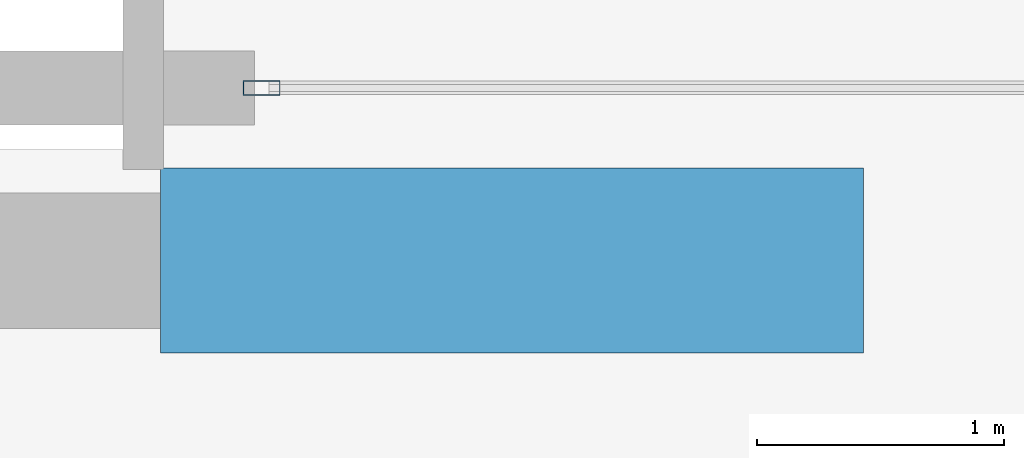
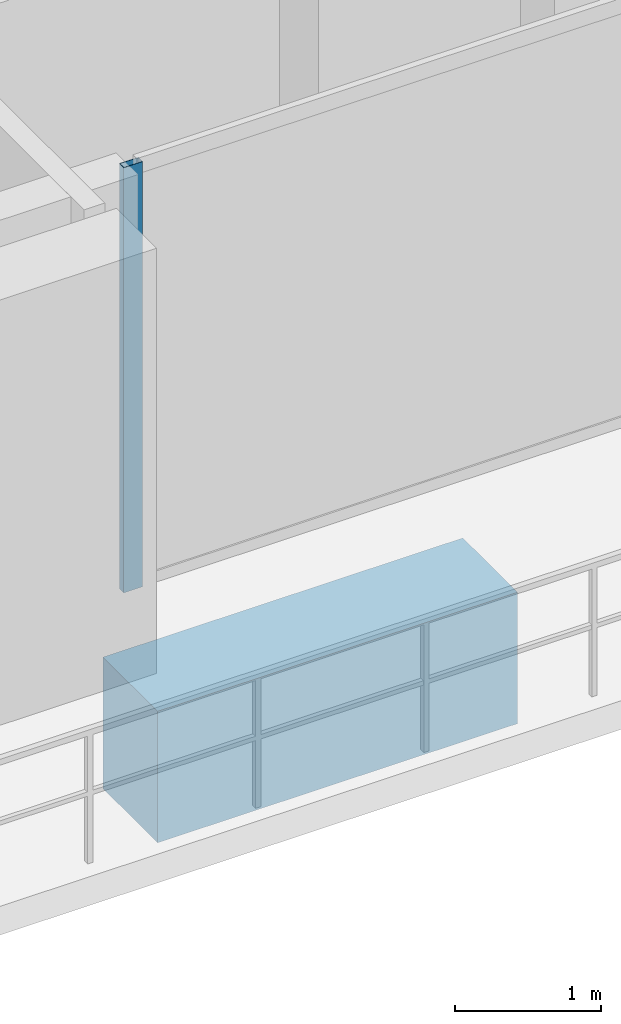
# One storey, part 6 of 27: 1 beam, 1 member, 1 element without a shape of its own.
"""IFC4 building model written with IfcOpenShell, lengths in metres."""

from ifc_helpers import new_model, si_unit, direction, frame, origin, origin_2d, place, context, subcontext, project, spatial, rectangle, hollow_rectangle, extrude, material, layer, layer_set, material_profile, profile_set, type_object, element, aggregate, save


model = new_model("IFC4")

# Units and contexts
model_context = context("Model", 3, precision=1e-05, world=origin(), true_north=direction((0.0, 1.0)))
body_context = subcontext(model_context, "Body", "Model", "MODEL_VIEW")
ifc_project = project(units=[si_unit("LENGTHUNIT", "METRE"), si_unit("AREAUNIT", "SQUARE_METRE"), si_unit("VOLUMEUNIT", "CUBIC_METRE"), si_unit("PLANEANGLEUNIT", "RADIAN"), si_unit("MASSUNIT", "GRAM", prefix="KILO")], contexts=[model_context])

# Site, building, storey
site_placement = place(None, origin())
site = spatial("IfcSite", under=ifc_project, at=site_placement, CompositionType="ELEMENT")
building_placement = place(site_placement, origin())
building = spatial("IfcBuilding", under=site, at=building_placement, Name="Zuhayl Quay Hotel", CompositionType="ELEMENT")
storey_placement = place(building_placement, frame((0.0, 0.0, 297.25)))
storey = spatial("IfcBuildingStorey", under=building, at=storey_placement, Name="Crown 1", CompositionType="ELEMENT", Elevation=297.25)

# Beam
ifc_material_1 = material(Name="Concrete C60/75", Category="concrete")
ifc_material_profile_1 = material_profile(ifc_material_1, rectangle(XDim=0.75, YDim=1.10009765625, at=origin_2d()), Name="RC750X1100")
ifc_profile_set_1 = profile_set([ifc_material_profile_1], Name="Concrete C60/75")
beam_type = type_object("IfcBeamType", Name="BM_CB2_RC750", PredefinedType="T_BEAM", material=ifc_profile_set_1)
beam_placement = place(storey_placement, frame((8.800048828125, 2.14990234375, -0.7900390625), z_axis=(1.0, 0.0, 0.0), x_axis=(0.0, 1.0, 0.0)))
element("IfcBeam", 1, at=beam_placement, inside=storey, type_object=beam_type, Name="Crown 1 Core Coupling Beam SE", PredefinedType="T_BEAM", context=body_context, shape_type="SweptSolid", body=[
    extrude(rectangle(XDim=0.75, YDim=1.10009765625, at=origin_2d()), origin(), (0.0, 0.0, 1.0), 2.849853515625),
])

# Curtain wall, member
ifc_material_2 = material(Name="Anodised Aluminium 6063-T6", Category="aluminium")
ifc_layer = layer(ifc_material_2, 0.159912109375, Name="Anodised Aluminium 6063-T6", Category="aluminium")
ifc_layer_set = layer_set([ifc_layer], Name="Anodised Aluminium 6063-T6")
curtain_wall_type = type_object("IfcCurtainWallType", Name="CW_SYS_CRN", PredefinedType="USERDEFINED", material=ifc_layer_set)
curtain_wall_placement = place(storey_placement, origin())
curtain_wall = element("IfcCurtainWall", 2, at=curtain_wall_placement, inside=storey, type_object=curtain_wall_type, Name="Crown 1 Curtain Wall ENV_CR1_E7_CW1", ObjectType="UNITISED CURTAIN WALL", PredefinedType="USERDEFINED")
ifc_material_3 = material(Name="Black-anodised aluminium 6063-T6", Category="aluminium")
ifc_material_profile_2 = material_profile(ifc_material_3, hollow_rectangle(XDim=0.06005859375, YDim=0.14990234375, WallThickness=0.00341796875, at=origin_2d()), Name="ALU150X60")
ifc_profile_set_2 = profile_set([ifc_material_profile_2], Name="Black-anodised aluminium 6063-T6")
member_type = type_object("IfcMemberType", Name="MB_CW_MUL_150", PredefinedType="MULLION", material=ifc_profile_set_2)
member_placement = place(storey_placement, frame((9.2099609375, 2.85009765625, 0.0), z_axis=(0.0, 0.0, 1.0), x_axis=(0.0, -1.0, 0.0)))
member = element("IfcMember", 3, at=member_placement, type_object=member_type, Name="CW-CRN mullion 2", PredefinedType="MULLION", context=body_context, shape_type="SweptSolid", body=[
    extrude(hollow_rectangle(XDim=0.06005859375, YDim=0.14990234375, WallThickness=0.00341796875, at=origin_2d()), origin(), (0.0, 0.0, 1.0), 3.56005859375),
])
aggregate(curtain_wall, [member])

save(model, "model.ifc")
